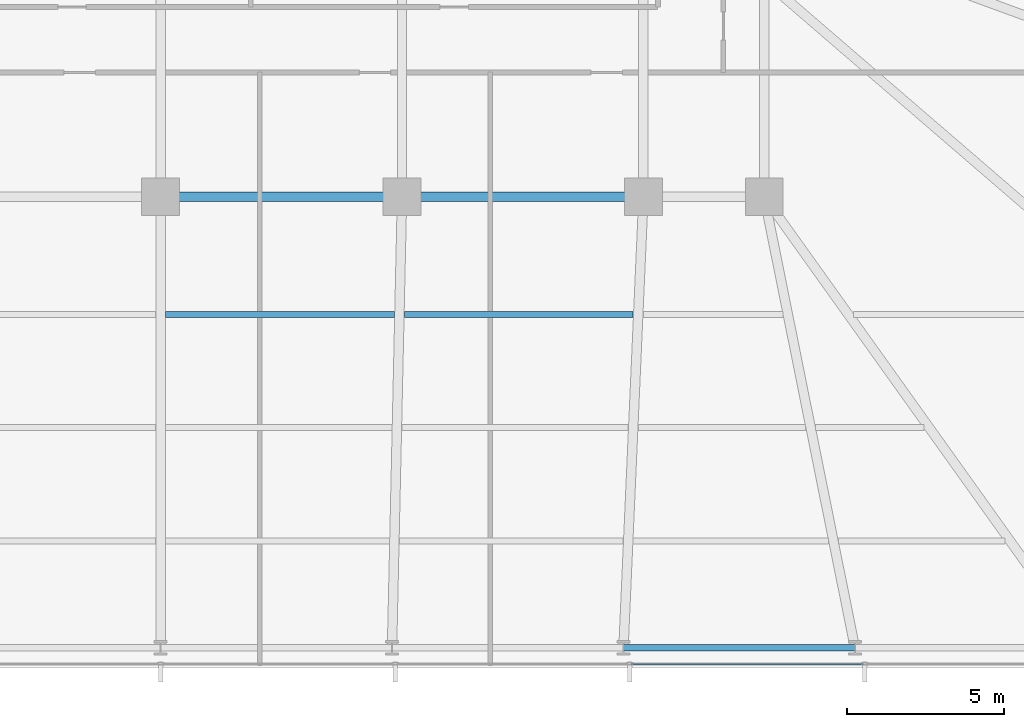
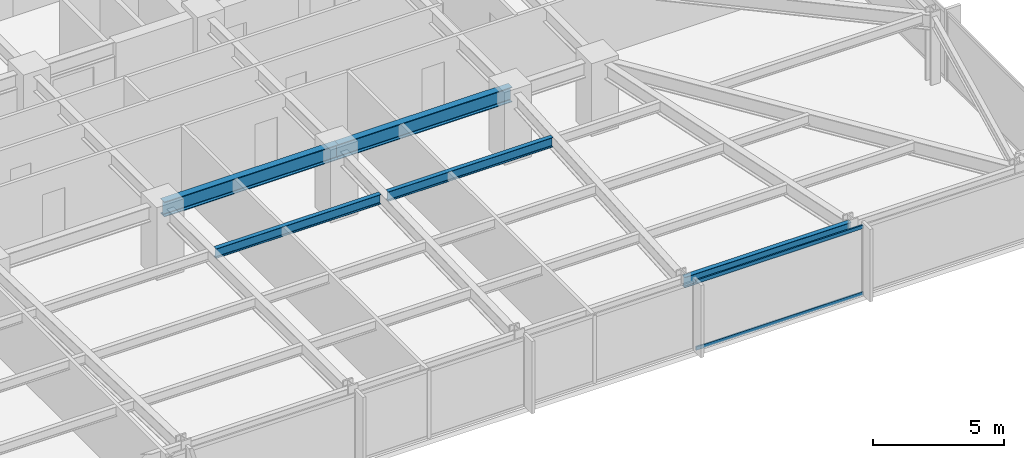
# One storey, part 13 of 33: 5 beams, 2 members, 1 element without a shape of its own.
"""IFC4 building model written with IfcOpenShell, lengths in metres."""

from ifc_helpers import new_model, si_unit, direction, frame, origin, origin_2d, place, context, subcontext, project, spatial, hollow_rectangle, i_section, extrude, material, material_profile, profile_set, type_object, element, aggregate, save


model = new_model("IFC4")

# Units and contexts
model_context = context("Model", 3, precision=1e-05, world=origin(), true_north=direction((0.0, 1.0)))
body_context = subcontext(model_context, "Body", "Model", "MODEL_VIEW")
ifc_project = project(units=[si_unit("LENGTHUNIT", "METRE"), si_unit("AREAUNIT", "SQUARE_METRE"), si_unit("VOLUMEUNIT", "CUBIC_METRE"), si_unit("PLANEANGLEUNIT", "RADIAN"), si_unit("MASSUNIT", "GRAM", prefix="KILO")], contexts=[model_context])

# Site, building, storey
site_placement = place(None, origin())
site = spatial("IfcSite", under=ifc_project, at=site_placement, CompositionType="ELEMENT")
building_placement = place(site_placement, origin())
building = spatial("IfcBuilding", under=site, at=building_placement, Name="Yelkora Congress Tower", CompositionType="ELEMENT")
storey_placement = place(building_placement, frame((0.0, 0.0, 64.39990234375)))
storey = spatial("IfcBuildingStorey", under=building, at=storey_placement, Name="L16", CompositionType="ELEMENT", Elevation=64.39990234375)

# Beams
ifc_material_1 = material(Name="Steel S355J2", Category="steel")
ifc_material_profile_1 = material_profile(ifc_material_1, i_section(OverallWidth=0.300048828125, OverallDepth=0.699951171875, WebThickness=0.01708984375, FlangeThickness=0.031982421875, FilletRadius=0.027099609375, at=origin_2d()), Name="HEB 700")
ifc_profile_set_1 = profile_set([ifc_material_profile_1], Name="Steel S355J2")
beam_type_1 = type_object("IfcBeamType", Name="BM-GIRD-HEB700", PredefinedType="BEAM", material=ifc_profile_set_1)
beam_1_placement = place(storey_placement, frame((38.39990234375, 25.199951171875, 2.830078125), z_axis=(1.0, 0.0, 0.0), x_axis=(0.0, 1.0, 0.0)))
element("IfcBeam", 1, at=beam_1_placement, inside=storey, type_object=beam_type_1, Name="L16 Spine Grid D Girder 4", PredefinedType="BEAM", context=body_context, shape_type="SweptSolid", body=[
    extrude(i_section(OverallWidth=0.300048828125, OverallDepth=0.699951171875, WebThickness=0.01708984375, FlangeThickness=0.031982421875, FilletRadius=0.027099609375, at=origin_2d()), origin(), (0.0, 0.0, 1.0), 7.68017578125),
])
beam_2_placement = place(storey_placement, frame((46.080078125, 25.199951171875, 2.830078125), z_axis=(1.0, 0.0, 0.0), x_axis=(0.0, 1.0, 0.0)))
element("IfcBeam", 2, at=beam_2_placement, inside=storey, type_object=beam_type_1, Name="L16 Spine Grid D Girder 5", PredefinedType="BEAM", context=body_context, shape_type="SweptSolid", body=[
    extrude(i_section(OverallWidth=0.300048828125, OverallDepth=0.699951171875, WebThickness=0.01708984375, FlangeThickness=0.031982421875, FilletRadius=0.027099609375, at=origin_2d()), origin(), (0.0, 0.0, 1.0), 7.679931640625),
])
ifc_material_profile_2 = material_profile(ifc_material_1, i_section(OverallWidth=0.18994140625, OverallDepth=0.449951171875, WebThickness=0.009521484375, FlangeThickness=0.0146484375, FilletRadius=0.02099609375, at=origin_2d()), Name="IPE 450")
ifc_profile_set_2 = profile_set([ifc_material_profile_2], Name="Steel S355J2")
beam_type_2 = type_object("IfcBeamType", Name="BM-JOIST-IPE450", PredefinedType="JOIST", material=ifc_profile_set_2)
beam_3_placement = place(storey_placement, frame((38.56005859375, 21.449951171875, 2.955078125), z_axis=(1.0, 0.0, 0.0), x_axis=(0.0, 1.0, 0.0)))
element("IfcBeam", 3, at=beam_3_placement, inside=storey, type_object=beam_type_2, Name="L16 Composite Floor Joist 20", PredefinedType="JOIST", context=body_context, shape_type="SweptSolid", body=[
    extrude(i_section(OverallWidth=0.18994140625, OverallDepth=0.449951171875, WebThickness=0.009521484375, FlangeThickness=0.0146484375, FilletRadius=0.02099609375, at=origin_2d()), origin(), (0.0, 0.0, 1.0), 7.27685546875),
])
beam_4_placement = place(storey_placement, frame((46.156982421875, 21.449951171875, 2.955078125), z_axis=(1.0, 0.0, 0.0), x_axis=(0.0, 1.0, 0.0)))
element("IfcBeam", 4, at=beam_4_placement, inside=storey, type_object=beam_type_2, Name="L16 Composite Floor Joist 21", PredefinedType="JOIST", context=body_context, shape_type="SweptSolid", body=[
    extrude(i_section(OverallWidth=0.18994140625, OverallDepth=0.449951171875, WebThickness=0.009521484375, FlangeThickness=0.0146484375, FilletRadius=0.02099609375, at=origin_2d()), origin(), (0.0, 0.0, 1.0), 7.277099609375),
])
ifc_material_profile_3 = material_profile(ifc_material_1, i_section(OverallWidth=0.199951171875, OverallDepth=0.5, WebThickness=0.01025390625, FlangeThickness=0.01611328125, FilletRadius=0.02099609375, at=origin_2d()), Name="IPE 500")
ifc_profile_set_3 = profile_set([ifc_material_profile_3], Name="Steel S355J2")
beam_type_3 = type_object("IfcBeamType", Name="BM-SPAN-IPE500", PredefinedType="SPANDREL", material=ifc_profile_set_3)
beam_5_placement = place(storey_placement, frame((53.125, 10.85009765625, 2.93017578125), z_axis=(1.0, 0.0, 0.0), x_axis=(0.0, 1.0, 0.0)))
element("IfcBeam", 5, at=beam_5_placement, inside=storey, type_object=beam_type_3, Name="L16 Perimeter Beam 8", PredefinedType="SPANDREL", context=body_context, shape_type="SweptSolid", body=[
    extrude(i_section(OverallWidth=0.199951171875, OverallDepth=0.5, WebThickness=0.01025390625, FlangeThickness=0.01611328125, FilletRadius=0.02099609375, at=origin_2d()), origin(), (0.0, 0.0, 1.0), 7.362548828125),
])

# Curtain wall, members
ifc_material_2 = material(Name="Anodised aluminium and insulated glass", Category="aluminium")
curtain_wall_type = type_object("IfcCurtainWallType", Name="CW-SYS-B1", PredefinedType="NOTDEFINED", material=ifc_material_2)
curtain_wall_placement = place(storey_placement, origin())
curtain_wall = element("IfcCurtainWall", 6, at=curtain_wall_placement, inside=storey, type_object=curtain_wall_type, Name="L16 Unitised Curtain Wall 20", PredefinedType="NOTDEFINED")
ifc_material_3 = material(Name="Anodised aluminium 6063-T6", Category="aluminium")
ifc_material_profile_4 = material_profile(ifc_material_3, hollow_rectangle(XDim=0.06494140625, YDim=0.159912109375, WallThickness=0.00390625, at=origin_2d()), Name="ALU 65x160x4")
ifc_profile_set_4 = profile_set([ifc_material_profile_4], Name="Anodised aluminium 6063-T6")
member_type = type_object("IfcMemberType", Name="MEM-TR-B1", PredefinedType="USERDEFINED", material=ifc_profile_set_4)
member_1_placement = place(storey_placement, frame((60.757568359375, 10.340087890625, 0.03271484375), z_axis=(-1.0, 0.0, 0.0), x_axis=(0.0, -1.0, 0.0)))
member_1 = element("IfcMember", 7, at=member_1_placement, type_object=member_type, Name="CW-B1 transom 2.1", ObjectType="TRANSOM", PredefinedType="USERDEFINED", context=body_context, shape_type="SweptSolid", body=[
    extrude(hollow_rectangle(XDim=0.06494140625, YDim=0.159912109375, WallThickness=0.00390625, at=origin_2d()), origin(), (0.0, 0.0, 1.0), 7.39013671875),
])
member_2_placement = place(storey_placement, frame((60.757568359375, 10.340087890625, 3.147705078125), z_axis=(-1.0, 0.0, 0.0), x_axis=(0.0, -1.0, 0.0)))
member_2 = element("IfcMember", 8, at=member_2_placement, type_object=member_type, Name="CW-B1 transom 2.2", ObjectType="TRANSOM", PredefinedType="USERDEFINED", context=body_context, shape_type="SweptSolid", body=[
    extrude(hollow_rectangle(XDim=0.06494140625, YDim=0.159912109375, WallThickness=0.00390625, at=origin_2d()), origin(), (0.0, 0.0, 1.0), 7.39013671875),
])
aggregate(curtain_wall, [member_1, member_2])

save(model, "model.ifc")
